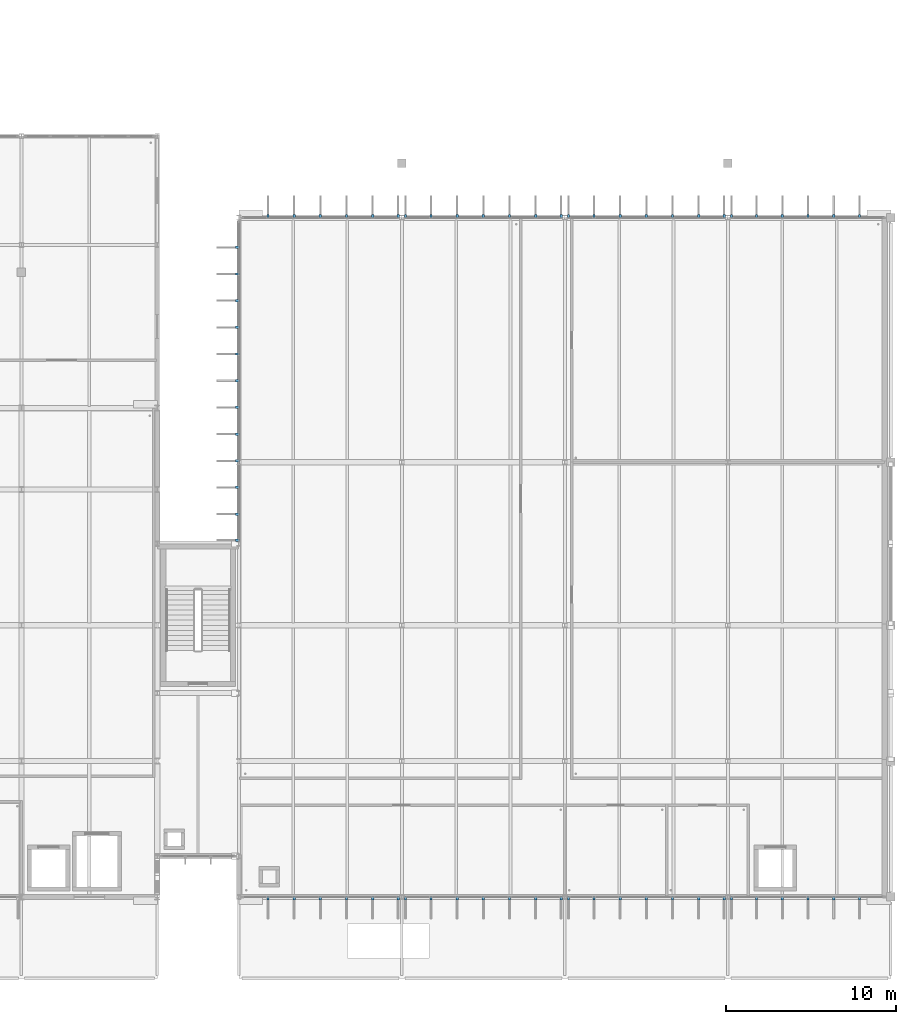
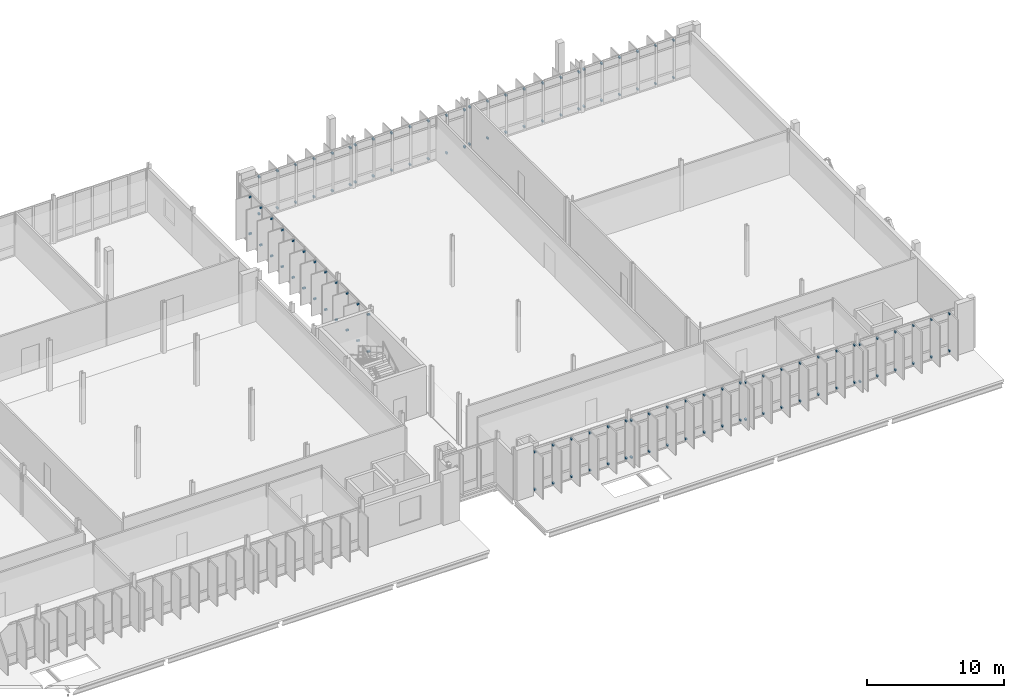
# One storey, part 97 of 107: 128 discrete accessories.
"""IFC4 building model written with IfcOpenShell, lengths in metres."""

import ifcopenshell
import ifcopenshell.guid

model = None  # the IFC model being written
_history = None  # IfcOwnerHistory: only IFC2X3 demands one
_inside = {}  # id of a spatial element -> (the spatial element, [elements in it])
_under = {}  # id of a project, library or spatial element -> (it, [spatial elements below it])
_declared = {}  # id of a project -> (the project, [libraries it declares])
_typed = {}  # id of a type object -> (the type object, [elements of that type])
_made_of = {}  # id of a material, layer set ... -> (it, [elements and type objects made of it])


def new_model(schema):
    """Start an empty IFC model of exactly this schema.

    Asked for "IFC4X3", IfcOpenShell would pick the latest addendum, in which some entities
    have other attributes; the version numbers below select the first issue.
    IFC2X3 requires an IfcOwnerHistory on every rooted entity: one is made here for all.
    """
    global model, _history
    if schema == "IFC4X3":
        model = ifcopenshell.file(schema_version=(4, 3, 0, 0))
    else:
        model = ifcopenshell.file(schema=schema)
    _inside.clear()
    _under.clear()
    _declared.clear()
    _typed.clear()
    _made_of.clear()
    _history = None
    if model.schema == "IFC2X3":
        org = make("IfcOrganization", Name="unknown")
        user = make(
            "IfcPersonAndOrganization",
            ThePerson=make("IfcPerson", FamilyName="unknown"),
            TheOrganization=org,
        )
        app = make(
            "IfcApplication",
            ApplicationDeveloper=org,
            Version="unknown",
            ApplicationFullName="unknown",
            ApplicationIdentifier="unknown",
        )
        _history = make(
            "IfcOwnerHistory",
            OwningUser=user,
            OwningApplication=app,
            ChangeAction="ADDED",
            CreationDate=0,
        )
    return model


def make(cls, **values):
    """One entity of the class cls with the attributes given. An attribute that is None is left unset."""
    return model.create_entity(
        cls, **{name: value for name, value in values.items() if value is not None}
    )


def rooted(cls, **values):
    """An entity with a GlobalId (a new one), such as an element, a storey or a relation."""
    return make(cls, GlobalId=ifcopenshell.guid.new(), OwnerHistory=_history, **values)


def si_unit(unit_type, name, prefix=None):
    """IfcSIUnit, for example si_unit("LENGTHUNIT", "METRE", prefix="MILLI")."""
    return make("IfcSIUnit", UnitType=unit_type, Prefix=prefix, Name=name)


def assignment(units):
    """IfcUnitAssignment: the units of a project."""
    return None if units is None else make("IfcUnitAssignment", Units=units)


def point(xyz):
    """IfcCartesianPoint."""
    return None if xyz is None else make("IfcCartesianPoint", Coordinates=xyz)


def direction(xyz):
    """IfcDirection."""
    return None if xyz is None else make("IfcDirection", DirectionRatios=xyz)


def frame(location, z_axis=None, x_axis=None):
    """IfcAxis2Placement3D, a coordinate frame: its origin and axes. An axis left out is left unset."""
    return make(
        "IfcAxis2Placement3D",
        Location=point(location),
        Axis=direction(z_axis),
        RefDirection=direction(x_axis),
    )


def frame_2d(location, x_axis=None):
    """IfcAxis2Placement2D, a coordinate frame in the plane: its origin and x axis."""
    return make(
        "IfcAxis2Placement2D", Location=point(location), RefDirection=direction(x_axis)
    )


def origin():
    """The frame at (0, 0, 0) with its axes left unset."""
    return frame((0.0, 0.0, 0.0))


def origin_2d():
    """The frame at (0, 0) in the plane with its x axis left unset."""
    return frame_2d((0.0, 0.0))


def place(relative_to, where):
    """IfcLocalPlacement: puts the frame where relative to a parent placement (None: the world)."""
    return make(
        "IfcLocalPlacement", PlacementRelTo=relative_to, RelativePlacement=where
    )


def context(
    kind, dimensions, precision=None, world=None, true_north=None, identifier=None
):
    """IfcGeometricRepresentationContext, for example the 3D "Model" context."""
    return make(
        "IfcGeometricRepresentationContext",
        ContextIdentifier=identifier,
        ContextType=kind,
        CoordinateSpaceDimension=dimensions,
        Precision=precision,
        WorldCoordinateSystem=world,
        TrueNorth=true_north,
    )


def subcontext(parent, identifier, kind, view, scale=None):
    """IfcGeometricRepresentationSubContext, for example "Body" below "Model"."""
    return make(
        "IfcGeometricRepresentationSubContext",
        ContextIdentifier=identifier,
        ContextType=kind,
        ParentContext=parent,
        TargetScale=scale,
        TargetView=view,
    )


def project(units=None, contexts=None):
    """IfcProject with its units and contexts."""
    return rooted(
        "IfcProject",
        Name="project",
        RepresentationContexts=contexts,
        UnitsInContext=assignment(units),
    )


def spatial(cls, under=None, at=None, **own):
    """A site, building, storey or space (cls), placed at a placement, below another one or the project."""
    s = rooted(cls, ObjectPlacement=at, **own)
    if under is not None:
        _under.setdefault(under.id(), (under, []))[1].append(s)
    return s


def profile(cls, at=None, kind="AREA", **sizes):
    """A parametric profile (cls). Its sizes go by their IFC names, for example OverallWidth=200.0."""
    return make(cls, ProfileType=kind, Position=at, **sizes)


def rectangle(**sizes):
    """IfcRectangleProfileDef."""
    return profile("IfcRectangleProfileDef", **sizes)


def extrude(swept, where, along, depth):
    """IfcExtrudedAreaSolid: the profile swept, set in the frame where, extruded along a direction by depth."""
    return make(
        "IfcExtrudedAreaSolid",
        SweptArea=swept,
        Position=where,
        ExtrudedDirection=direction(along),
        Depth=depth,
    )


def shape(context_of_items, identifier, shape_type, items):
    """IfcShapeRepresentation: the items that make up one representation, for example the "Body"."""
    return make(
        "IfcShapeRepresentation",
        ContextOfItems=context_of_items,
        RepresentationIdentifier=identifier,
        RepresentationType=shape_type,
        Items=items,
    )


def material(Name=None, Category=None):
    """IfcMaterial."""
    return make("IfcMaterial", Name=Name, Category=Category)


def made_of(thing, what):
    """Note that an element or type object is made of a material, layer set ...; save() writes the relation."""
    if what is not None:
        _made_of.setdefault(what.id(), (what, []))[1].append(thing)
    return thing


def type_object(cls, material=None, **own):
    """A type object (cls), such as IfcWallType, which elements share."""
    return made_of(rooted(cls, **own), material)


def element(
    cls,
    number,
    at=None,
    inside=None,
    cuts=None,
    type_object=None,
    material=None,
    context=None,
    identifier="Body",
    shape_type=None,
    held_by="IfcProductDefinitionShape",
    body=None,
    shapes=None,
    **own,
):
    """One element of the class cls, such as IfcWall. Its Tag is "e" and its number.

    at: its placement. inside: the storey or other place that contains it. cuts: it is an
    opening in that element (IfcRelVoidsElement). A single representation is given by context,
    identifier, shape_type and body (its items); several are given by shapes. held_by: the class
    of the entity that holds the representations. save() writes the other relations.
    """
    e = rooted(cls, Tag="e%d" % number, ObjectPlacement=at, **own)
    if body is not None:
        shapes = [shape(context, identifier, shape_type, body)]
    if shapes is not None:
        e.Representation = make(held_by, Representations=shapes)
    if inside is not None:
        _inside.setdefault(inside.id(), (inside, []))[1].append(e)
    if cuts is not None:
        rooted(
            "IfcRelVoidsElement", RelatingBuildingElement=cuts, RelatedOpeningElement=e
        )
    if type_object is not None:
        _typed.setdefault(type_object.id(), (type_object, []))[1].append(e)
    return made_of(e, material)


def aggregate(whole, parts):
    """IfcRelAggregates: a whole, such as a stair, and the parts it consists of."""
    return rooted("IfcRelAggregates", RelatingObject=whole, RelatedObjects=parts)


def save(model, path):
    """Write the relations noted so far, then the file.

    IfcRelAggregates (storeys below a building ...), IfcRelContainedInSpatialStructure (elements
    in a storey), IfcRelDefinesByType, IfcRelAssociatesMaterial and IfcRelDeclares: one each for
    every whole, place, type object, material and project.
    """
    for whole, parts in _under.values():
        aggregate(whole, parts)
    for where, things in _inside.values():
        rooted(
            "IfcRelContainedInSpatialStructure",
            RelatedElements=things,
            RelatingStructure=where,
        )
    for kind, things in _typed.values():
        rooted("IfcRelDefinesByType", RelatedObjects=things, RelatingType=kind)
    for what, things in _made_of.values():
        rooted("IfcRelAssociatesMaterial", RelatedObjects=things, RelatingMaterial=what)
    for by, libraries in _declared.values():
        rooted("IfcRelDeclares", RelatingContext=by, RelatedDefinitions=libraries)
    model.write(path)


model = new_model("IFC4")

# Units and contexts
model_context = context("Model", 3, precision=1e-05, world=origin(), true_north=direction((0.0, 1.0)))
body_context = subcontext(model_context, "Body", "Model", "MODEL_VIEW")
ifc_project = project(units=[si_unit("LENGTHUNIT", "METRE"), si_unit("AREAUNIT", "SQUARE_METRE"), si_unit("VOLUMEUNIT", "CUBIC_METRE"), si_unit("PLANEANGLEUNIT", "RADIAN"), si_unit("MASSUNIT", "GRAM", prefix="KILO")], contexts=[model_context])

# Site, building, storey
site_placement = place(None, origin())
site = spatial("IfcSite", under=ifc_project, at=site_placement, CompositionType="ELEMENT")
building_placement = place(site_placement, origin())
building = spatial("IfcBuilding", under=site, at=building_placement, Name="Dunescarp Central Library", CompositionType="ELEMENT")
storey_placement = place(building_placement, frame((0.0, 0.0, 5.10009765625)))
storey = spatial("IfcBuildingStorey", under=building, at=storey_placement, Name="L01", CompositionType="ELEMENT", Elevation=5.10009765625)

# Discrete accessories
ifc_material = material(Name="Stainless steel Grade 316L", Category="steel")
discrete_accessory_type = type_object("IfcDiscreteAccessoryType", Name="ARC-ACC-BRK", PredefinedType="BRACKET", material=ifc_material)
for number, where, z_axis, x_axis, name in (
    (1, (138.985107421875, 4.719970703125, 0.27685546875), (0.0, 0.0, 1.0), (0.0, -1.0, 0.0), "Fin bracket BRK-FIN-L01-0966-B"),
    (2, (138.985107421875, 4.719970703125, 3.580078125), (0.0, 0.0, 1.0), (0.0, -1.0, 0.0), "Fin bracket BRK-FIN-L01-0966-T"),
    (3, (137.48291015625, 4.719970703125, 0.2900390625), (0.0, 0.0, 1.0), (0.0, -1.0, 0.0), "Fin bracket BRK-FIN-L01-0967-B"),
    (4, (137.48291015625, 4.719970703125, 3.580078125), (0.0, 0.0, 1.0), (0.0, -1.0, 0.0), "Fin bracket BRK-FIN-L01-0967-T"),
    (5, (135.94189453125, 4.719970703125, 0.27392578125), (0.0, 0.0, 1.0), (0.0, -1.0, 0.0), "Fin bracket BRK-FIN-L01-0968-B"),
    (6, (135.94189453125, 4.719970703125, 3.580078125), (0.0, 0.0, 1.0), (0.0, -1.0, 0.0), "Fin bracket BRK-FIN-L01-0968-T"),
    (7, (134.39990234375, 4.719970703125, 0.23291015625), (0.0, 0.0, 1.0), (0.0, -1.0, 0.0), "Fin bracket BRK-FIN-L01-0969-B"),
    (8, (134.39990234375, 4.719970703125, 3.580078125), (0.0, 0.0, 1.0), (0.0, -1.0, 0.0), "Fin bracket BRK-FIN-L01-0969-T"),
    (9, (132.85791015625, 4.719970703125, 0.18994140625), (0.0, 0.0, 1.0), (0.0, -1.0, 0.0), "Fin bracket BRK-FIN-L01-0970-B"),
    (10, (132.85791015625, 4.719970703125, 3.56884765625), (0.0, 0.0, 1.0), (0.0, -1.0, 0.0), "Fin bracket BRK-FIN-L01-0970-T"),
    (11, (131.31689453125, 4.719970703125, 0.18994140625), (0.0, 0.0, 1.0), (0.0, -1.0, 0.0), "Fin bracket BRK-FIN-L01-0971-B"),
    (12, (131.31689453125, 4.719970703125, 3.51904296875), (0.0, 0.0, 1.0), (0.0, -1.0, 0.0), "Fin bracket BRK-FIN-L01-0971-T"),
    (13, (148.5849609375, 4.719970703125, 0.27685546875), (0.0, 0.0, 1.0), (0.0, -1.0, 0.0), "Fin bracket BRK-FIN-L01-0972-B"),
    (14, (148.5849609375, 4.719970703125, 3.580078125), (0.0, 0.0, 1.0), (0.0, -1.0, 0.0), "Fin bracket BRK-FIN-L01-0972-T"),
    (15, (147.0830078125, 4.719970703125, 0.2900390625), (0.0, 0.0, 1.0), (0.0, -1.0, 0.0), "Fin bracket BRK-FIN-L01-0973-B"),
    (16, (147.0830078125, 4.719970703125, 3.580078125), (0.0, 0.0, 1.0), (0.0, -1.0, 0.0), "Fin bracket BRK-FIN-L01-0973-T"),
    (17, (145.5419921875, 4.719970703125, 0.27392578125), (0.0, 0.0, 1.0), (0.0, -1.0, 0.0), "Fin bracket BRK-FIN-L01-0974-B"),
    (18, (145.5419921875, 4.719970703125, 3.580078125), (0.0, 0.0, 1.0), (0.0, -1.0, 0.0), "Fin bracket BRK-FIN-L01-0974-T"),
    (19, (144.0, 4.719970703125, 0.23291015625), (0.0, 0.0, 1.0), (0.0, -1.0, 0.0), "Fin bracket BRK-FIN-L01-0975-B"),
    (20, (144.0, 4.719970703125, 3.580078125), (0.0, 0.0, 1.0), (0.0, -1.0, 0.0), "Fin bracket BRK-FIN-L01-0975-T"),
    (21, (142.4580078125, 4.719970703125, 0.18994140625), (0.0, 0.0, 1.0), (0.0, -1.0, 0.0), "Fin bracket BRK-FIN-L01-0976-B"),
    (22, (142.4580078125, 4.719970703125, 3.56884765625), (0.0, 0.0, 1.0), (0.0, -1.0, 0.0), "Fin bracket BRK-FIN-L01-0976-T"),
    (23, (140.9169921875, 4.719970703125, 0.18994140625), (0.0, 0.0, 1.0), (0.0, -1.0, 0.0), "Fin bracket BRK-FIN-L01-0977-B"),
    (24, (140.9169921875, 4.719970703125, 3.51904296875), (0.0, 0.0, 1.0), (0.0, -1.0, 0.0), "Fin bracket BRK-FIN-L01-0977-T"),
    (25, (139.4150390625, 4.719970703125, 0.18994140625), (0.0, 0.0, 1.0), (0.0, -1.0, 0.0), "Fin bracket BRK-FIN-L01-0978-B"),
    (26, (139.4150390625, 4.719970703125, 3.48583984375), (0.0, 0.0, 1.0), (0.0, -1.0, 0.0), "Fin bracket BRK-FIN-L01-0978-T"),
    (27, (158.18505859375, 4.719970703125, 0.27685546875), (0.0, 0.0, 1.0), (0.0, -1.0, 0.0), "Fin bracket BRK-FIN-L01-0979-B"),
    (28, (158.18505859375, 4.719970703125, 3.580078125), (0.0, 0.0, 1.0), (0.0, -1.0, 0.0), "Fin bracket BRK-FIN-L01-0979-T"),
    (29, (156.68310546875, 4.719970703125, 0.2900390625), (0.0, 0.0, 1.0), (0.0, -1.0, 0.0), "Fin bracket BRK-FIN-L01-0980-B"),
    (30, (156.68310546875, 4.719970703125, 3.580078125), (0.0, 0.0, 1.0), (0.0, -1.0, 0.0), "Fin bracket BRK-FIN-L01-0980-T"),
    (31, (155.14208984375, 4.719970703125, 0.27392578125), (0.0, 0.0, 1.0), (0.0, -1.0, 0.0), "Fin bracket BRK-FIN-L01-0981-B"),
    (32, (155.14208984375, 4.719970703125, 3.580078125), (0.0, 0.0, 1.0), (0.0, -1.0, 0.0), "Fin bracket BRK-FIN-L01-0981-T"),
    (33, (153.60009765625, 4.719970703125, 0.23291015625), (0.0, 0.0, 1.0), (0.0, -1.0, 0.0), "Fin bracket BRK-FIN-L01-0982-B"),
    (34, (153.60009765625, 4.719970703125, 3.580078125), (0.0, 0.0, 1.0), (0.0, -1.0, 0.0), "Fin bracket BRK-FIN-L01-0982-T"),
    (35, (152.05810546875, 4.719970703125, 0.18994140625), (0.0, 0.0, 1.0), (0.0, -1.0, 0.0), "Fin bracket BRK-FIN-L01-0983-B"),
    (36, (152.05810546875, 4.719970703125, 3.56884765625), (0.0, 0.0, 1.0), (0.0, -1.0, 0.0), "Fin bracket BRK-FIN-L01-0983-T"),
    (37, (150.51708984375, 4.719970703125, 0.18994140625), (0.0, 0.0, 1.0), (0.0, -1.0, 0.0), "Fin bracket BRK-FIN-L01-0984-B"),
    (38, (150.51708984375, 4.719970703125, 3.51904296875), (0.0, 0.0, 1.0), (0.0, -1.0, 0.0), "Fin bracket BRK-FIN-L01-0984-T"),
    (39, (149.014892578125, 4.719970703125, 0.18994140625), (0.0, 0.0, 1.0), (0.0, -1.0, 0.0), "Fin bracket BRK-FIN-L01-0985-B"),
    (40, (149.014892578125, 4.719970703125, 3.48583984375), (0.0, 0.0, 1.0), (0.0, -1.0, 0.0), "Fin bracket BRK-FIN-L01-0985-T"),
    (41, (166.14990234375, 4.719970703125, 0.2900390625), (0.0, 0.0, 1.0), (0.0, -1.0, 0.0), "Fin bracket BRK-FIN-L01-0986-B"),
    (42, (166.14990234375, 4.719970703125, 3.580078125), (0.0, 0.0, 1.0), (0.0, -1.0, 0.0), "Fin bracket BRK-FIN-L01-0986-T"),
    (43, (164.635009765625, 4.719970703125, 0.27392578125), (0.0, 0.0, 1.0), (0.0, -1.0, 0.0), "Fin bracket BRK-FIN-L01-0987-B"),
    (44, (164.635009765625, 4.719970703125, 3.580078125), (0.0, 0.0, 1.0), (0.0, -1.0, 0.0), "Fin bracket BRK-FIN-L01-0987-T"),
    (45, (163.1201171875, 4.719970703125, 0.23291015625), (0.0, 0.0, 1.0), (0.0, -1.0, 0.0), "Fin bracket BRK-FIN-L01-0988-B"),
    (46, (163.1201171875, 4.719970703125, 3.580078125), (0.0, 0.0, 1.0), (0.0, -1.0, 0.0), "Fin bracket BRK-FIN-L01-0988-T"),
    (47, (161.60498046875, 4.719970703125, 0.18994140625), (0.0, 0.0, 1.0), (0.0, -1.0, 0.0), "Fin bracket BRK-FIN-L01-0989-B"),
    (48, (161.60498046875, 4.719970703125, 3.56884765625), (0.0, 0.0, 1.0), (0.0, -1.0, 0.0), "Fin bracket BRK-FIN-L01-0989-T"),
    (49, (160.090087890625, 4.719970703125, 0.18994140625), (0.0, 0.0, 1.0), (0.0, -1.0, 0.0), "Fin bracket BRK-FIN-L01-0990-B"),
    (50, (160.090087890625, 4.719970703125, 3.51904296875), (0.0, 0.0, 1.0), (0.0, -1.0, 0.0), "Fin bracket BRK-FIN-L01-0990-T"),
    (51, (158.614990234375, 4.719970703125, 0.18994140625), (0.0, 0.0, 1.0), (0.0, -1.0, 0.0), "Fin bracket BRK-FIN-L01-0991-B"),
    (52, (158.614990234375, 4.719970703125, 3.48583984375), (0.0, 0.0, 1.0), (0.0, -1.0, 0.0), "Fin bracket BRK-FIN-L01-0991-T"),
    (53, (131.31689453125, 44.8798828125, 0.2900390625), (0.0, 0.0, 1.0), (0.0, 1.0, 0.0), "Fin bracket BRK-FIN-L01-0992-B"),
    (54, (131.31689453125, 44.8798828125, 3.580078125), (0.0, 0.0, 1.0), (0.0, 1.0, 0.0), "Fin bracket BRK-FIN-L01-0992-T"),
    (55, (132.85791015625, 44.8798828125, 0.27392578125), (0.0, 0.0, 1.0), (0.0, 1.0, 0.0), "Fin bracket BRK-FIN-L01-0993-B"),
    (56, (132.85791015625, 44.8798828125, 3.580078125), (0.0, 0.0, 1.0), (0.0, 1.0, 0.0), "Fin bracket BRK-FIN-L01-0993-T"),
    (57, (134.39990234375, 44.8798828125, 0.23291015625), (0.0, 0.0, 1.0), (0.0, 1.0, 0.0), "Fin bracket BRK-FIN-L01-0994-B"),
    (58, (134.39990234375, 44.8798828125, 3.580078125), (0.0, 0.0, 1.0), (0.0, 1.0, 0.0), "Fin bracket BRK-FIN-L01-0994-T"),
    (59, (135.94189453125, 44.8798828125, 0.18994140625), (0.0, 0.0, 1.0), (0.0, 1.0, 0.0), "Fin bracket BRK-FIN-L01-0995-B"),
    (60, (135.94189453125, 44.8798828125, 3.56884765625), (0.0, 0.0, 1.0), (0.0, 1.0, 0.0), "Fin bracket BRK-FIN-L01-0995-T"),
    (61, (137.48291015625, 44.8798828125, 0.18994140625), (0.0, 0.0, 1.0), (0.0, 1.0, 0.0), "Fin bracket BRK-FIN-L01-0996-B"),
    (62, (137.48291015625, 44.8798828125, 3.51904296875), (0.0, 0.0, 1.0), (0.0, 1.0, 0.0), "Fin bracket BRK-FIN-L01-0996-T"),
    (63, (138.985107421875, 44.8798828125, 0.18994140625), (0.0, 0.0, 1.0), (0.0, 1.0, 0.0), "Fin bracket BRK-FIN-L01-0997-B"),
    (64, (138.985107421875, 44.8798828125, 3.48583984375), (0.0, 0.0, 1.0), (0.0, 1.0, 0.0), "Fin bracket BRK-FIN-L01-0997-T"),
    (65, (139.4150390625, 44.8798828125, 0.27685546875), (0.0, 0.0, 1.0), (0.0, 1.0, 0.0), "Fin bracket BRK-FIN-L01-0998-B"),
    (66, (139.4150390625, 44.8798828125, 3.580078125), (0.0, 0.0, 1.0), (0.0, 1.0, 0.0), "Fin bracket BRK-FIN-L01-0998-T"),
    (67, (140.9169921875, 44.8798828125, 0.2900390625), (0.0, 0.0, 1.0), (0.0, 1.0, 0.0), "Fin bracket BRK-FIN-L01-0999-B"),
    (68, (140.9169921875, 44.8798828125, 3.580078125), (0.0, 0.0, 1.0), (0.0, 1.0, 0.0), "Fin bracket BRK-FIN-L01-0999-T"),
    (69, (142.4580078125, 44.8798828125, 0.27392578125), (0.0, 0.0, 1.0), (0.0, 1.0, 0.0), "Fin bracket BRK-FIN-L01-1000-B"),
    (70, (142.4580078125, 44.8798828125, 3.580078125), (0.0, 0.0, 1.0), (0.0, 1.0, 0.0), "Fin bracket BRK-FIN-L01-1000-T"),
    (71, (144.0, 44.8798828125, 0.23291015625), (0.0, 0.0, 1.0), (0.0, 1.0, 0.0), "Fin bracket BRK-FIN-L01-1001-B"),
    (72, (144.0, 44.8798828125, 3.580078125), (0.0, 0.0, 1.0), (0.0, 1.0, 0.0), "Fin bracket BRK-FIN-L01-1001-T"),
    (73, (145.5419921875, 44.8798828125, 0.18994140625), (0.0, 0.0, 1.0), (0.0, 1.0, 0.0), "Fin bracket BRK-FIN-L01-1002-B"),
    (74, (145.5419921875, 44.8798828125, 3.56884765625), (0.0, 0.0, 1.0), (0.0, 1.0, 0.0), "Fin bracket BRK-FIN-L01-1002-T"),
    (75, (147.0830078125, 44.8798828125, 0.18994140625), (0.0, 0.0, 1.0), (0.0, 1.0, 0.0), "Fin bracket BRK-FIN-L01-1003-B"),
    (76, (147.0830078125, 44.8798828125, 3.51904296875), (0.0, 0.0, 1.0), (0.0, 1.0, 0.0), "Fin bracket BRK-FIN-L01-1003-T"),
    (77, (148.5849609375, 44.8798828125, 0.18994140625), (0.0, 0.0, 1.0), (0.0, 1.0, 0.0), "Fin bracket BRK-FIN-L01-1004-B"),
    (78, (148.5849609375, 44.8798828125, 3.48583984375), (0.0, 0.0, 1.0), (0.0, 1.0, 0.0), "Fin bracket BRK-FIN-L01-1004-T"),
    (79, (149.014892578125, 44.8798828125, 0.27685546875), (0.0, 0.0, 1.0), (0.0, 1.0, 0.0), "Fin bracket BRK-FIN-L01-1005-B"),
    (80, (149.014892578125, 44.8798828125, 3.580078125), (0.0, 0.0, 1.0), (0.0, 1.0, 0.0), "Fin bracket BRK-FIN-L01-1005-T"),
    (81, (150.51708984375, 44.8798828125, 0.2900390625), (0.0, 0.0, 1.0), (0.0, 1.0, 0.0), "Fin bracket BRK-FIN-L01-1006-B"),
    (82, (150.51708984375, 44.8798828125, 3.580078125), (0.0, 0.0, 1.0), (0.0, 1.0, 0.0), "Fin bracket BRK-FIN-L01-1006-T"),
    (83, (152.05810546875, 44.8798828125, 0.27392578125), (0.0, 0.0, 1.0), (0.0, 1.0, 0.0), "Fin bracket BRK-FIN-L01-1007-B"),
    (84, (152.05810546875, 44.8798828125, 3.580078125), (0.0, 0.0, 1.0), (0.0, 1.0, 0.0), "Fin bracket BRK-FIN-L01-1007-T"),
    (85, (153.60009765625, 44.8798828125, 0.23291015625), (0.0, 0.0, 1.0), (0.0, 1.0, 0.0), "Fin bracket BRK-FIN-L01-1008-B"),
    (86, (153.60009765625, 44.8798828125, 3.580078125), (0.0, 0.0, 1.0), (0.0, 1.0, 0.0), "Fin bracket BRK-FIN-L01-1008-T"),
    (87, (155.14208984375, 44.8798828125, 0.18994140625), (0.0, 0.0, 1.0), (0.0, 1.0, 0.0), "Fin bracket BRK-FIN-L01-1009-B"),
    (88, (155.14208984375, 44.8798828125, 3.56884765625), (0.0, 0.0, 1.0), (0.0, 1.0, 0.0), "Fin bracket BRK-FIN-L01-1009-T"),
    (89, (156.68310546875, 44.8798828125, 0.18994140625), (0.0, 0.0, 1.0), (0.0, 1.0, 0.0), "Fin bracket BRK-FIN-L01-1010-B"),
    (90, (156.68310546875, 44.8798828125, 3.51904296875), (0.0, 0.0, 1.0), (0.0, 1.0, 0.0), "Fin bracket BRK-FIN-L01-1010-T"),
    (91, (158.18505859375, 44.8798828125, 0.18994140625), (0.0, 0.0, 1.0), (0.0, 1.0, 0.0), "Fin bracket BRK-FIN-L01-1011-B"),
    (92, (158.18505859375, 44.8798828125, 3.48583984375), (0.0, 0.0, 1.0), (0.0, 1.0, 0.0), "Fin bracket BRK-FIN-L01-1011-T"),
    (93, (158.614990234375, 44.8798828125, 0.27685546875), (0.0, 0.0, 1.0), (0.0, 1.0, 0.0), "Fin bracket BRK-FIN-L01-1012-B"),
    (94, (158.614990234375, 44.8798828125, 3.580078125), (0.0, 0.0, 1.0), (0.0, 1.0, 0.0), "Fin bracket BRK-FIN-L01-1012-T"),
    (95, (160.090087890625, 44.8798828125, 0.2900390625), (0.0, 0.0, 1.0), (0.0, 1.0, 0.0), "Fin bracket BRK-FIN-L01-1013-B"),
    (96, (160.090087890625, 44.8798828125, 3.580078125), (0.0, 0.0, 1.0), (0.0, 1.0, 0.0), "Fin bracket BRK-FIN-L01-1013-T"),
    (97, (161.60498046875, 44.8798828125, 0.27392578125), (0.0, 0.0, 1.0), (0.0, 1.0, 0.0), "Fin bracket BRK-FIN-L01-1014-B"),
    (98, (161.60498046875, 44.8798828125, 3.580078125), (0.0, 0.0, 1.0), (0.0, 1.0, 0.0), "Fin bracket BRK-FIN-L01-1014-T"),
    (99, (163.1201171875, 44.8798828125, 0.23291015625), (0.0, 0.0, 1.0), (0.0, 1.0, 0.0), "Fin bracket BRK-FIN-L01-1015-B"),
    (100, (163.1201171875, 44.8798828125, 3.580078125), (0.0, 0.0, 1.0), (0.0, 1.0, 0.0), "Fin bracket BRK-FIN-L01-1015-T"),
    (101, (164.635009765625, 44.8798828125, 0.18994140625), (0.0, 0.0, 1.0), (0.0, 1.0, 0.0), "Fin bracket BRK-FIN-L01-1016-B"),
    (102, (164.635009765625, 44.8798828125, 3.56884765625), (0.0, 0.0, 1.0), (0.0, 1.0, 0.0), "Fin bracket BRK-FIN-L01-1016-T"),
    (103, (166.14990234375, 44.8798828125, 0.18994140625), (0.0, 0.0, 1.0), (0.0, 1.0, 0.0), "Fin bracket BRK-FIN-L01-1017-B"),
    (104, (166.14990234375, 44.8798828125, 3.51904296875), (0.0, 0.0, 1.0), (0.0, 1.0, 0.0), "Fin bracket BRK-FIN-L01-1017-T"),
    (105, (129.52001953125, 25.81494140625, 0.27685546875), (0.0, 0.0, 1.0), (-1.0, 0.0, 0.0), "Fin bracket BRK-FIN-L01-1018-B"),
    (106, (129.52001953125, 25.81494140625, 3.544921875), (0.0, 0.0, 1.0), (-1.0, 0.0, 0.0), "Fin bracket BRK-FIN-L01-1018-T"),
    (107, (129.52001953125, 27.345947265625, 0.2900390625), (0.0, 0.0, 1.0), (-1.0, 0.0, 0.0), "Fin bracket BRK-FIN-L01-1019-B"),
    (108, (129.52001953125, 27.345947265625, 3.544921875), (0.0, 0.0, 1.0), (-1.0, 0.0, 0.0), "Fin bracket BRK-FIN-L01-1019-T"),
    (109, (129.52001953125, 28.9169921875, 0.27392578125), (0.0, 0.0, 1.0), (-1.0, 0.0, 0.0), "Fin bracket BRK-FIN-L01-1020-B"),
    (110, (129.52001953125, 28.9169921875, 3.544921875), (0.0, 0.0, 1.0), (-1.0, 0.0, 0.0), "Fin bracket BRK-FIN-L01-1020-T"),
    (111, (129.52001953125, 30.487060546875, 0.23291015625), (0.0, 0.0, 1.0), (-1.0, 0.0, 0.0), "Fin bracket BRK-FIN-L01-1021-B"),
    (112, (129.52001953125, 30.487060546875, 3.544921875), (0.0, 0.0, 1.0), (-1.0, 0.0, 0.0), "Fin bracket BRK-FIN-L01-1021-T"),
    (113, (129.52001953125, 32.05810546875, 0.18994140625), (0.0, 0.0, 1.0), (-1.0, 0.0, 0.0), "Fin bracket BRK-FIN-L01-1022-B"),
    (114, (129.52001953125, 32.05810546875, 3.5341796875), (0.0, 0.0, 1.0), (-1.0, 0.0, 0.0), "Fin bracket BRK-FIN-L01-1022-T"),
    (115, (129.52001953125, 33.62890625, 0.18994140625), (0.0, 0.0, 1.0), (-1.0, 0.0, 0.0), "Fin bracket BRK-FIN-L01-1023-B"),
    (116, (129.52001953125, 33.62890625, 3.48388671875), (0.0, 0.0, 1.0), (-1.0, 0.0, 0.0), "Fin bracket BRK-FIN-L01-1023-T"),
    (117, (129.52001953125, 35.199951171875, 0.18994140625), (0.0, 0.0, 1.0), (-1.0, 0.0, 0.0), "Fin bracket BRK-FIN-L01-1024-B"),
    (118, (129.52001953125, 35.199951171875, 3.451171875), (0.0, 0.0, 1.0), (-1.0, 0.0, 0.0), "Fin bracket BRK-FIN-L01-1024-T"),
    (119, (129.52001953125, 36.77099609375, 0.18994140625), (0.0, 0.0, 1.0), (-1.0, 0.0, 0.0), "Fin bracket BRK-FIN-L01-1025-B"),
    (120, (129.52001953125, 36.77099609375, 3.44677734375), (0.0, 0.0, 1.0), (-1.0, 0.0, 0.0), "Fin bracket BRK-FIN-L01-1025-T"),
    (121, (129.52001953125, 38.342041015625, 0.18994140625), (0.0, 0.0, 1.0), (-1.0, 0.0, 0.0), "Fin bracket BRK-FIN-L01-1026-B"),
    (122, (129.52001953125, 38.342041015625, 3.47119140625), (0.0, 0.0, 1.0), (-1.0, 0.0, 0.0), "Fin bracket BRK-FIN-L01-1026-T"),
    (123, (129.52001953125, 39.9130859375, 0.18994140625), (0.0, 0.0, 1.0), (-1.0, 0.0, 0.0), "Fin bracket BRK-FIN-L01-1027-B"),
    (124, (129.52001953125, 39.9130859375, 3.51708984375), (0.0, 0.0, 1.0), (-1.0, 0.0, 0.0), "Fin bracket BRK-FIN-L01-1027-T"),
    (125, (129.52001953125, 41.48291015625, 0.2158203125), (0.0, 0.0, 1.0), (-1.0, 0.0, 0.0), "Fin bracket BRK-FIN-L01-1028-B"),
    (126, (129.52001953125, 41.48291015625, 3.544921875), (0.0, 0.0, 1.0), (-1.0, 0.0, 0.0), "Fin bracket BRK-FIN-L01-1028-T"),
    (127, (129.52001953125, 43.053955078125, 0.26318359375), (0.0, 0.0, 1.0), (-1.0, 0.0, 0.0), "Fin bracket BRK-FIN-L01-1029-B"),
    (128, (129.52001953125, 43.053955078125, 3.544921875), (0.0, 0.0, 1.0), (-1.0, 0.0, 0.0), "Fin bracket BRK-FIN-L01-1029-T"),
):
    element("IfcDiscreteAccessory", number, at=place(storey_placement, frame(where, z_axis=z_axis, x_axis=x_axis)), inside=storey, type_object=discrete_accessory_type, Name=name, PredefinedType="BRACKET", context=body_context, shape_type="SweptSolid", body=[
        extrude(rectangle(XDim=0.219970703125, YDim=0.139892578125, at=origin_2d()), origin(), (0.0, 0.0, 1.0), 0.139892578125),
    ])

save(model, "model.ifc")
